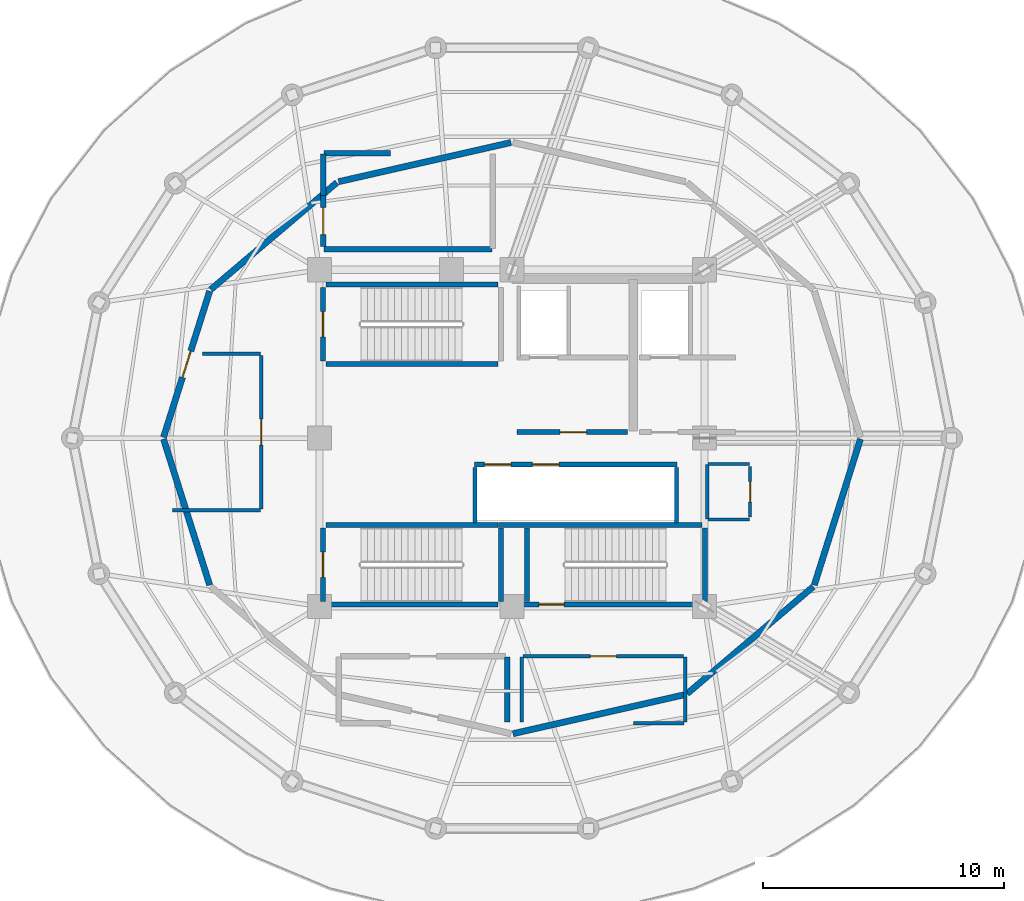
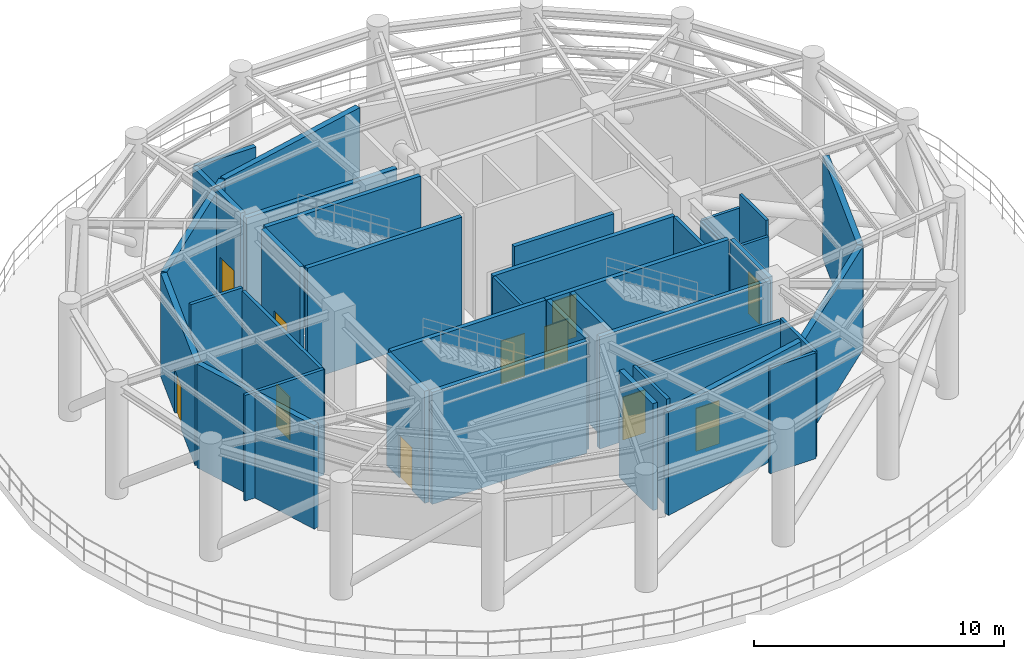
# One storey, part 4 of 8: 38 walls, 11 doors, 11 openings.
"""IFC4 building model written with IfcOpenShell, lengths in metres."""

from ifc_helpers import new_model, si_unit, direction, frame, frame_2d, origin, place, context, subcontext, project, spatial, rectangle, extrude, material, layer, layer_set, type_object, element, fill, save


model = new_model("IFC4")

# Units and contexts
model_context = context("Model", 3, precision=1e-05, world=origin(), true_north=direction((0.0, 1.0)))
body_context = subcontext(model_context, "Body", "Model", "MODEL_VIEW")
ifc_project = project(units=[si_unit("LENGTHUNIT", "METRE"), si_unit("AREAUNIT", "SQUARE_METRE"), si_unit("VOLUMEUNIT", "CUBIC_METRE"), si_unit("PLANEANGLEUNIT", "RADIAN"), si_unit("MASSUNIT", "GRAM", prefix="KILO")], contexts=[model_context])

# Site, building, storey
site_placement = place(None, origin())
site = spatial("IfcSite", under=ifc_project, at=site_placement, CompositionType="ELEMENT")
building_placement = place(site_placement, origin())
building = spatial("IfcBuilding", under=site, at=building_placement, Name="Kelanora Arch Commons", CompositionType="ELEMENT")
storey_placement = place(building_placement, frame((0.0, 0.0, 242.9599609375)))
storey = spatial("IfcBuildingStorey", under=building, at=storey_placement, Name="L62", CompositionType="ELEMENT", Elevation=242.9599609375)

# Walls
ifc_material_1 = material(Name="Autoclaved aerated concrete blockwork with fire plaster", Category="masonry")
ifc_layer_1 = layer(ifc_material_1, 0.14990234375)
ifc_layer_set_1 = layer_set([ifc_layer_1], Name="Autoclaved aerated concrete blockwork with fire plaster")
wall_type_1 = type_object("IfcWallType", Name="W-COMP-150", PredefinedType="PARTITIONING", material=ifc_layer_set_1)
for number, where, z_axis, x_axis, name in (
    (1, (72.4599609375, 54.47998046875, 0.0), (0.0, 0.0, 1.0), (0.0, 1.0, 0.0), "South Lift Bank West Wall L62"),
    (2, (80.840087890625, 54.47998046875, 0.0), (0.0, 0.0, 1.0), (0.0, 1.0, 0.0), "South Lift Bank East Wall L62"),
):
    element("IfcWall", number, at=place(storey_placement, frame(where, z_axis=z_axis, x_axis=x_axis)), inside=storey, type_object=wall_type_1, Name=name, PredefinedType="PARTITIONING", context=body_context, shape_type="SweptSolid", body=[
        extrude(rectangle(XDim=2.2900390625, YDim=0.14990234375, at=frame_2d((1.14501953125, 0.0))), origin(), (0.0, 0.0, 1.0), 5.469970703125),
    ])

# Wall, opening, door
wall_1_placement = place(storey_placement, frame((63.580078125, 55.06005859375, 0.0), z_axis=(0.0, 0.0, 1.0), x_axis=(0.0, 1.0, 0.0)))
wall_1 = element("IfcWall", 3, at=wall_1_placement, inside=storey, type_object=wall_type_1, Name="Dedicated Outdoor Air and Enthalpy Wheel Plant L62 Entry Partition", PredefinedType="PARTITIONING", context=body_context, shape_type="SweptSolid", body=[
    extrude(rectangle(XDim=6.3798828125, YDim=0.14990234375, at=frame_2d((3.18994140625, 0.0))), origin(), (0.0, 0.0, 1.0), 5.06494140625),
])
opening_1_placement = place(wall_1_placement, frame((2.64990234375, 0.0, 0.0)))
opening_1 = element("IfcOpeningElement", 4, at=opening_1_placement, cuts=wall_1, Name="Opening D-PLT1", PredefinedType="OPENING", context=body_context, shape_type="SweptSolid", body=[
    extrude(rectangle(XDim=1.080078125, YDim=2.10009765625, at=frame_2d((0.5400390625, 1.050048828125))), frame((0.0, 0.0849609375, 0.0), z_axis=(0.0, -1.0, 0.0), x_axis=(1.0, 0.0, 0.0)), (0.0, 0.0, 1.0), 0.169921875),
])
ifc_material_2 = material(Name="Galvanised steel plant and riser fire door", Category="steel")
door_type_1 = type_object("IfcDoorType", Name="D-PLT-110", OperationType="NOTDEFINED", PredefinedType="DOOR", material=ifc_material_2)
door_1_placement = place(opening_1_placement, origin())
door_1 = element("IfcDoor", 5, at=door_1_placement, inside=storey, type_object=door_type_1, Name="Dedicated Outdoor Air and Enthalpy Wheel Plant L62 Door", OperationType="SINGLE_SWING_RIGHT", OverallHeight=2.10009765625, OverallWidth=1.080078125, PredefinedType="DOOR", context=body_context, shape_type="SweptSolid", body=[
    extrude(rectangle(XDim=1.080078125, YDim=2.10009765625, at=frame_2d((0.5400390625, 1.050048828125))), frame((0.0, 0.02490234375, 0.0), z_axis=(0.0, -1.0, 0.0), x_axis=(1.0, 0.0, 0.0)), (0.0, 0.0, 1.0), 0.050048828125),
])
fill(opening_1, door_1)

wall_2_placement = place(storey_placement, frame((74.4599609375, 48.929931640625, 0.0), z_axis=(0.0, 0.0, 1.0), x_axis=(1.0, 0.0, 0.0)))
wall_2 = element("IfcWall", 6, at=wall_2_placement, inside=storey, type_object=wall_type_1, Name="Domestic Booster Pump and Electrical Switchroom L62 Entry Partition", PredefinedType="PARTITIONING", context=body_context, shape_type="SweptSolid", body=[
    extrude(rectangle(XDim=6.679931640625, YDim=0.14990234375, at=frame_2d((3.33984375, 0.0))), origin(), (0.0, 0.0, 1.0), 5.06494140625),
])
opening_2_placement = place(wall_2_placement, frame((2.800048828125, 0.0, 0.0)))
opening_2 = element("IfcOpeningElement", 7, at=opening_2_placement, cuts=wall_2, Name="Opening D-PLT1", PredefinedType="OPENING", context=body_context, shape_type="SweptSolid", body=[
    extrude(rectangle(XDim=1.080078125, YDim=2.10009765625, at=frame_2d((0.5400390625, 1.050048828125))), frame((0.0, 0.0849609375, 0.0), z_axis=(0.0, -1.0, 0.0), x_axis=(1.0, 0.0, 0.0)), (0.0, 0.0, 1.0), 0.169921875),
])
door_2_placement = place(opening_2_placement, origin())
door_2 = element("IfcDoor", 8, at=door_2_placement, inside=storey, type_object=door_type_1, Name="Domestic Booster Pump and Electrical Switchroom L62 Door", OperationType="SINGLE_SWING_LEFT", OverallHeight=2.10009765625, OverallWidth=1.080078125, PredefinedType="DOOR", context=body_context, shape_type="SweptSolid", body=[
    extrude(rectangle(XDim=1.080078125, YDim=2.10009765625, at=frame_2d((0.5400390625, 1.050048828125))), frame((0.0, 0.02490234375, 0.0), z_axis=(0.0, -1.0, 0.0), x_axis=(1.0, 0.0, 0.0)), (0.0, 0.0, 1.0), 0.050048828125),
])
fill(opening_2, door_2)

# Walls
wall_3_placement = place(storey_placement, frame((59.889892578125, 55.0, 0.0), z_axis=(0.0, 0.0, 1.0), x_axis=(1.0, 0.0, 0.0)))
element("IfcWall", 9, at=wall_3_placement, inside=storey, type_object=wall_type_1, Name="Dedicated Outdoor Air and Enthalpy Wheel Plant L62 Enclosure Partition 1", PredefinedType="PARTITIONING", context=body_context, shape_type="SweptSolid", body=[
    extrude(rectangle(XDim=3.650146484375, YDim=0.14990234375, at=frame_2d((1.8251953125, 0.0))), origin(), (0.0, 0.0, 1.0), 5.1650390625),
])
wall_4_placement = place(storey_placement, frame((63.5400390625, 61.5, 0.0), z_axis=(0.0, 0.0, 1.0), x_axis=(-1.0, 0.0, 0.0)))
element("IfcWall", 10, at=wall_4_placement, inside=storey, type_object=wall_type_1, Name="Dedicated Outdoor Air and Enthalpy Wheel Plant L62 Enclosure Partition 3", PredefinedType="PARTITIONING", context=body_context, shape_type="SweptSolid", body=[
    extrude(rectangle(XDim=2.40625, YDim=0.14990234375, at=frame_2d((1.203125, 0.0))), origin(), (0.0, 0.0, 1.0), 5.22509765625),
])
wall_5_placement = place(storey_placement, frame((79.0478515625, 46.14990234375, 0.0), z_axis=(0.0, 0.0, 1.0), x_axis=(1.0, 0.0, 0.0)))
element("IfcWall", 11, at=wall_5_placement, inside=storey, type_object=wall_type_1, Name="Domestic Booster Pump and Electrical Switchroom L62 Enclosure Partition 1", PredefinedType="PARTITIONING", context=body_context, shape_type="SweptSolid", body=[
    extrude(rectangle(XDim=2.112060546875, YDim=0.14990234375, at=frame_2d((1.05615234375, 0.0))), origin(), (0.0, 0.0, 1.0), 5.1650390625),
])
wall_6_placement = place(storey_placement, frame((81.199951171875, 46.18994140625, 0.0), z_axis=(0.0, 0.0, 1.0), x_axis=(0.0, 1.0, 0.0)))
element("IfcWall", 12, at=wall_6_placement, inside=storey, type_object=wall_type_1, Name="Domestic Booster Pump and Electrical Switchroom L62 Enclosure Partition 2", PredefinedType="PARTITIONING", context=body_context, shape_type="SweptSolid", body=[
    extrude(rectangle(XDim=2.699951171875, YDim=0.14990234375, at=frame_2d((1.35009765625, 0.0))), origin(), (0.0, 0.0, 1.0), 5.1650390625),
])
wall_7_placement = place(storey_placement, frame((74.39990234375, 48.889892578125, 0.0), z_axis=(0.0, 0.0, 1.0), x_axis=(0.0, -1.0, 0.0)))
element("IfcWall", 13, at=wall_7_placement, inside=storey, type_object=wall_type_1, Name="Domestic Booster Pump and Electrical Switchroom L62 Enclosure Partition 4", PredefinedType="PARTITIONING", context=body_context, shape_type="SweptSolid", body=[
    extrude(rectangle(XDim=2.699951171875, YDim=0.14990234375, at=frame_2d((1.35009765625, 0.0))), origin(), (0.0, 0.0, 1.0), 5.22509765625),
])
ifc_material_3 = material(Name="Precast concrete C40/50 with terracotta rainscreen", Category="masonry")
ifc_layer_2 = layer(ifc_material_3, 0.260009765625)
ifc_layer_set_2 = layer_set([ifc_layer_2], Name="Precast concrete C40/50 with terracotta rainscreen")
wall_type_2 = type_object("IfcWallType", Name="W-EXT-TC", PredefinedType="SOLIDWALL", material=ifc_layer_set_2)
wall_8_placement = place(storey_placement, frame((73.9609375, 70.291015625, 0.0), z_axis=(0.0, 0.0, 1.0), x_axis=(-0.975128290494, -0.221641189938, 0.0)))
element("IfcWall", 14, at=wall_8_placement, inside=storey, type_object=wall_type_2, Name="Wind-Floor Plant/Refuge Enclosure Wall L62-04", PredefinedType="SOLIDWALL", context=body_context, shape_type="SweptSolid", body=[
    extrude(rectangle(XDim=7.354736328125, YDim=0.260009765625, at=frame_2d((3.67724609375, 0.0))), origin(), (0.0, 0.0, 1.0), 5.06005859375),
])
wall_9_placement = place(storey_placement, frame((66.719482421875, 68.626220703125, 0.0), z_axis=(0.0, 0.0, 1.0), x_axis=(-0.762580748943, -0.646893037018, 0.0)))
element("IfcWall", 15, at=wall_9_placement, inside=storey, type_object=wall_type_2, Name="Wind-Floor Plant/Refuge Enclosure Wall L62-05", PredefinedType="SOLIDWALL", context=body_context, shape_type="SweptSolid", body=[
    extrude(rectangle(XDim=6.879638671875, YDim=0.260009765625, at=frame_2d((3.43994140625, 0.0))), origin(), (0.0, 0.0, 1.0), 5.06005859375),
])

# Wall, opening, door
wall_10_placement = place(storey_placement, frame((61.4306640625, 64.11181640625, 0.0), z_axis=(0.0, 0.0, 1.0), x_axis=(-0.301228589113, -0.95355195826, 0.0)))
wall_10 = element("IfcWall", 16, at=wall_10_placement, inside=storey, type_object=wall_type_2, Name="Wind-Floor Plant/Refuge Enclosure Wall L62-06", PredefinedType="SOLIDWALL", context=body_context, shape_type="SweptSolid", body=[
    extrude(rectangle(XDim=6.36962890625, YDim=0.260009765625, at=frame_2d((3.184814453125, 0.0))), origin(), (0.0, 0.0, 1.0), 5.06005859375),
])
opening_3_placement = place(wall_10_placement, frame((2.610107421875, 0.0, 0.0)))
opening_3 = element("IfcOpeningElement", 17, at=opening_3_placement, cuts=wall_10, Name="Opening DT-01", PredefinedType="OPENING", context=body_context, shape_type="SweptSolid", body=[
    extrude(rectangle(XDim=1.14990234375, YDim=2.14990234375, at=frame_2d((0.574951171875, 1.074951171875))), frame((0.0, 0.14013671875, 0.0), z_axis=(0.0, -1.0, 0.0), x_axis=(1.0, 0.0, 0.0)), (0.0, 0.0, 1.0), 0.280029296875),
])
ifc_material_4 = material(Name="Weather-sealed aluminium terrace door", Category="aluminium")
door_type_2 = type_object("IfcDoorType", Name="D-TERR-12", OperationType="NOTDEFINED", PredefinedType="DOOR", material=ifc_material_4)
door_3_placement = place(opening_3_placement, frame((1.14990234375, 0.0, 0.0), z_axis=(0.0, 0.0, 1.0), x_axis=(-1.0, 0.0, 0.0)))
door_3 = element("IfcDoor", 18, at=door_3_placement, inside=storey, type_object=door_type_2, Name="Wind-Floor Deck Maintenance Door L62-05", OperationType="SINGLE_SWING_LEFT", OverallHeight=2.14990234375, OverallWidth=1.14990234375, PredefinedType="DOOR", context=body_context, shape_type="SweptSolid", body=[
    extrude(rectangle(XDim=1.14990234375, YDim=2.14990234375, at=frame_2d((0.574951171875, 1.074951171875))), frame((0.0, 0.02490234375, 0.0), z_axis=(0.0, -1.0, 0.0), x_axis=(1.0, 0.0, 0.0)), (0.0, 0.0, 1.0), 0.050048828125),
])
fill(opening_3, door_3)

# Walls
wall_11_placement = place(storey_placement, frame((59.511962890625, 57.9619140625, 0.0), z_axis=(0.0, 0.0, 1.0), x_axis=(0.301228589113, -0.95355195826, 0.0)))
element("IfcWall", 19, at=wall_11_placement, inside=storey, type_object=wall_type_2, Name="Wind-Floor Plant/Refuge Enclosure Wall L62-07", PredefinedType="SOLIDWALL", context=body_context, shape_type="SweptSolid", body=[
    extrude(rectangle(XDim=6.36962890625, YDim=0.260009765625, at=frame_2d((3.184814453125, 0.0))), origin(), (0.0, 0.0, 1.0), 5.06005859375),
])
wall_12_placement = place(storey_placement, frame((74.0390625, 45.708984375, 0.0), z_axis=(0.0, 0.0, 1.0), x_axis=(0.975128290494, 0.221641189938, 0.0)))
element("IfcWall", 20, at=wall_12_placement, inside=storey, type_object=wall_type_2, Name="Wind-Floor Plant/Refuge Enclosure Wall L62-10", PredefinedType="SOLIDWALL", context=body_context, shape_type="SweptSolid", body=[
    extrude(rectangle(XDim=7.354736328125, YDim=0.260009765625, at=frame_2d((3.67724609375, 0.0))), origin(), (0.0, 0.0, 1.0), 5.06005859375),
])
wall_13_placement = place(storey_placement, frame((81.280517578125, 47.373779296875, 0.0), z_axis=(0.0, 0.0, 1.0), x_axis=(0.762580748943, 0.646893037018, 0.0)))
element("IfcWall", 21, at=wall_13_placement, inside=storey, type_object=wall_type_2, Name="Wind-Floor Plant/Refuge Enclosure Wall L62-11", PredefinedType="SOLIDWALL", context=body_context, shape_type="SweptSolid", body=[
    extrude(rectangle(XDim=6.879638671875, YDim=0.260009765625, at=frame_2d((3.43994140625, 0.0))), origin(), (0.0, 0.0, 1.0), 5.06005859375),
])
wall_14_placement = place(storey_placement, frame((86.5693359375, 51.88818359375, 0.0), z_axis=(0.0, 0.0, 1.0), x_axis=(0.301228589113, 0.95355195826, 0.0)))
element("IfcWall", 22, at=wall_14_placement, inside=storey, type_object=wall_type_2, Name="Wind-Floor Plant/Refuge Enclosure Wall L62-12", PredefinedType="SOLIDWALL", context=body_context, shape_type="SweptSolid", body=[
    extrude(rectangle(XDim=6.36962890625, YDim=0.260009765625, at=frame_2d((3.184814453125, 0.0))), origin(), (0.0, 0.0, 1.0), 5.06005859375),
])

# Wall, opening, door
ifc_material_5 = material(Name="Concrete C40/50", Category="concrete")
ifc_layer_3 = layer(ifc_material_5, 0.199951171875)
ifc_layer_set_3 = layer_set([ifc_layer_3], Name="Concrete C40/50")
wall_type_3 = type_object("IfcWallType", Name="W-FFL-200", PredefinedType="SOLIDWALL", material=ifc_layer_set_3)
wall_15_placement = place(storey_placement, frame((74.199951171875, 58.25, 0.0), z_axis=(0.0, 0.0, 1.0), x_axis=(1.0, 0.0, 0.0)))
wall_15 = element("IfcWall", 23, at=wall_15_placement, inside=storey, type_object=wall_type_3, Name="Firefighting Lobby 1 Enclosure Wall L62", PredefinedType="SOLIDWALL", context=body_context, shape_type="SweptSolid", body=[
    extrude(rectangle(XDim=4.60009765625, YDim=0.199951171875, at=frame_2d((2.300048828125, 0.0))), origin(), (0.0, 0.0, 1.0), 5.469970703125),
])
opening_4_placement = place(wall_15_placement, frame((1.800048828125, 0.0, 0.0)))
opening_4 = element("IfcOpeningElement", 24, at=opening_4_placement, cuts=wall_15, Name="Opening D-FFL1", PredefinedType="OPENING", context=body_context, shape_type="SweptSolid", body=[
    extrude(rectangle(XDim=1.10009765625, YDim=2.10009765625, at=frame_2d((0.550048828125, 1.050048828125))), frame((0.0, 0.10986328125, 0.0), z_axis=(0.0, -1.0, 0.0), x_axis=(1.0, 0.0, 0.0)), (0.0, 0.0, 1.0), 0.219970703125),
])
ifc_material_6 = material(Name="Smoke-sealed firefighting lobby fire door")
door_type_3 = type_object("IfcDoorType", Name="D-FFL-110", OperationType="NOTDEFINED", PredefinedType="DOOR", material=ifc_material_6)
door_4_placement = place(opening_4_placement, frame((1.10009765625, 0.0, 0.0), z_axis=(0.0, 0.0, 1.0), x_axis=(-1.0, 0.0, 0.0)))
door_4 = element("IfcDoor", 25, at=door_4_placement, inside=storey, type_object=door_type_3, Name="Firefighting Lobby 1 Door L62", OperationType="SINGLE_SWING_LEFT", OverallHeight=2.10009765625, OverallWidth=1.10009765625, PredefinedType="DOOR", context=body_context, shape_type="SweptSolid", body=[
    extrude(rectangle(XDim=1.10009765625, YDim=2.10009765625, at=frame_2d((0.550048828125, 1.050048828125))), frame((0.0, 0.02490234375, 0.0), z_axis=(0.0, -1.0, 0.0), x_axis=(1.0, 0.0, 0.0)), (0.0, 0.0, 1.0), 0.050048828125),
])
fill(opening_4, door_4)

# Wall, openings, doors
wall_16_placement = place(storey_placement, frame((72.449951171875, 56.89990234375, 0.0), z_axis=(0.0, 0.0, 1.0), x_axis=(1.0, 0.0, 0.0)))
wall_16 = element("IfcWall", 26, at=wall_16_placement, inside=storey, type_object=wall_type_3, Name="Mid/High/Express Lift Shaft Front L62", PredefinedType="SOLIDWALL", context=body_context, shape_type="SweptSolid", body=[
    extrude(rectangle(XDim=8.400146484375, YDim=0.199951171875, at=frame_2d((4.2001953125, 0.0))), origin(), (0.0, 0.0, 1.0), 5.469970703125),
])
opening_5_placement = place(wall_16_placement, frame((0.39990234375, 0.0, 0.0)))
opening_5 = element("IfcOpeningElement", 27, at=opening_5_placement, cuts=wall_16, Name="Opening LD-01", PredefinedType="OPENING", context=body_context, shape_type="SweptSolid", body=[
    extrude(rectangle(XDim=1.10009765625, YDim=2.10009765625, at=frame_2d((0.550048828125, 1.050048828125))), frame((0.0, 0.10986328125, 0.0), z_axis=(0.0, -1.0, 0.0), x_axis=(1.0, 0.0, 0.0)), (0.0, 0.0, 1.0), 0.219970703125),
])
opening_6_placement = place(wall_16_placement, frame((2.39990234375, 0.0, 0.0)))
opening_6 = element("IfcOpeningElement", 28, at=opening_6_placement, cuts=wall_16, Name="Opening LD-01", PredefinedType="OPENING", context=body_context, shape_type="SweptSolid", body=[
    extrude(rectangle(XDim=1.10009765625, YDim=2.10009765625, at=frame_2d((0.550048828125, 1.050048828125))), frame((0.0, 0.10986328125, 0.0), z_axis=(0.0, -1.0, 0.0), x_axis=(1.0, 0.0, 0.0)), (0.0, 0.0, 1.0), 0.219970703125),
])
ifc_material_7 = material(Name="Stainless steel passenger lift sliding landing door", Category="steel")
door_type_4 = type_object("IfcDoorType", Name="D-LIFT-110", OperationType="NOTDEFINED", PredefinedType="DOOR", material=ifc_material_7)
door_5_placement = place(opening_5_placement, origin())
door_5 = element("IfcDoor", 29, at=door_5_placement, inside=storey, type_object=door_type_4, Name="Passenger Lift LF-P7 Landing Door L62", OperationType="DOUBLE_DOOR_SLIDING", OverallHeight=2.10009765625, OverallWidth=1.10009765625, PredefinedType="DOOR", context=body_context, shape_type="SweptSolid", body=[
    extrude(rectangle(XDim=1.10009765625, YDim=2.10009765625, at=frame_2d((0.550048828125, 1.050048828125))), frame((0.0, 0.02490234375, 0.0), z_axis=(0.0, -1.0, 0.0), x_axis=(1.0, 0.0, 0.0)), (0.0, 0.0, 1.0), 0.050048828125),
])
fill(opening_5, door_5)
door_6_placement = place(opening_6_placement, origin())
door_6 = element("IfcDoor", 30, at=door_6_placement, inside=storey, type_object=door_type_4, Name="Passenger Lift LF-P8 Landing Door L62", OperationType="DOUBLE_DOOR_SLIDING", OverallHeight=2.10009765625, OverallWidth=1.10009765625, PredefinedType="DOOR", context=body_context, shape_type="SweptSolid", body=[
    extrude(rectangle(XDim=1.10009765625, YDim=2.10009765625, at=frame_2d((0.550048828125, 1.050048828125))), frame((0.0, 0.02490234375, 0.0), z_axis=(0.0, -1.0, 0.0), x_axis=(1.0, 0.0, 0.0)), (0.0, 0.0, 1.0), 0.050048828125),
])
fill(opening_6, door_6)

# Wall, opening, door
ifc_layer_4 = layer(ifc_material_5, 0.219970703125)
ifc_layer_set_4 = layer_set([ifc_layer_4], Name="Concrete C40/50")
wall_type_4 = type_object("IfcWallType", Name="W-REF-200", PredefinedType="SOLIDWALL", material=ifc_layer_set_4)
wall_17_placement = place(storey_placement, frame((66.14990234375, 65.9599609375, 0.0), z_axis=(0.0, 0.0, 1.0), x_axis=(0.0, 1.0, 0.0)))
wall_17 = element("IfcWall", 31, at=wall_17_placement, inside=storey, type_object=wall_type_4, Name="Protected Fire Refuge Holding Area L62-North Entry Partition", PredefinedType="SOLIDWALL", context=body_context, shape_type="SweptSolid", body=[
    extrude(rectangle(XDim=2.130126953125, YDim=0.219970703125, at=frame_2d((1.06494140625, 0.0))), origin(), (0.0, 0.0, 1.0), 5.22509765625),
])
opening_7_placement = place(wall_17_placement, frame((0.5048828125, 0.0, 0.0)))
opening_7 = element("IfcOpeningElement", 32, at=opening_7_placement, cuts=wall_17, Name="Opening D-REF1", PredefinedType="OPENING", context=body_context, shape_type="SweptSolid", body=[
    extrude(rectangle(XDim=1.1201171875, YDim=2.10009765625, at=frame_2d((0.56005859375, 1.050048828125))), frame((0.0, 0.1201171875, 0.0), z_axis=(0.0, -1.0, 0.0), x_axis=(1.0, 0.0, 0.0)), (0.0, 0.0, 1.0), 0.239990234375),
])
ifc_material_8 = material(Name="Two-hour fire refuge holding room door")
door_type_5 = type_object("IfcDoorType", Name="D-REF-110", OperationType="NOTDEFINED", PredefinedType="DOOR", material=ifc_material_8)
door_7_placement = place(opening_7_placement, origin())
door_7 = element("IfcDoor", 33, at=door_7_placement, inside=storey, type_object=door_type_5, Name="Protected Fire Refuge Holding Area L62-North Door", OperationType="SINGLE_SWING_RIGHT", OverallHeight=2.10009765625, OverallWidth=1.1201171875, PredefinedType="DOOR", context=body_context, shape_type="SweptSolid", body=[
    extrude(rectangle(XDim=1.1201171875, YDim=2.10009765625, at=frame_2d((0.56005859375, 1.050048828125))), frame((0.0, 0.02490234375, 0.0), z_axis=(0.0, -1.0, 0.0), x_axis=(1.0, 0.0, 0.0)), (0.0, 0.0, 1.0), 0.050048828125),
])
fill(opening_7, door_7)

# Walls
wall_18_placement = place(storey_placement, frame((66.18994140625, 65.85009765625, 0.0), z_axis=(0.0, 0.0, 1.0), x_axis=(1.0, 0.0, 0.0)))
element("IfcWall", 34, at=wall_18_placement, inside=storey, type_object=wall_type_4, Name="Protected Fire Refuge Holding Area L62-North Enclosure Partition 1", PredefinedType="SOLIDWALL", context=body_context, shape_type="SweptSolid", body=[
    extrude(rectangle(XDim=6.969970703125, YDim=0.219970703125, at=frame_2d((3.48486328125, 0.0))), origin(), (0.0, 0.0, 1.0), 5.06494140625),
])
wall_19_placement = place(storey_placement, frame((68.9521484375, 69.85009765625, 0.0), z_axis=(0.0, 0.0, 1.0), x_axis=(-1.0, 0.0, 0.0)))
element("IfcWall", 35, at=wall_19_placement, inside=storey, type_object=wall_type_4, Name="Protected Fire Refuge Holding Area L62-North Enclosure Partition 3", PredefinedType="SOLIDWALL", context=body_context, shape_type="SweptSolid", body=[
    extrude(rectangle(XDim=2.76220703125, YDim=0.219970703125, at=frame_2d((1.381103515625, 0.0))), origin(), (0.0, 0.0, 1.0), 5.1650390625),
])
wall_20_placement = place(storey_placement, frame((66.14990234375, 69.81005859375, 0.0), z_axis=(0.0, 0.0, 1.0), x_axis=(0.0, -1.0, 0.0)))
element("IfcWall", 36, at=wall_20_placement, inside=storey, type_object=wall_type_4, Name="Protected Fire Refuge Holding Area L62-North Enclosure Partition 4", PredefinedType="SOLIDWALL", context=body_context, shape_type="SweptSolid", body=[
    extrude(rectangle(XDim=1.719970703125, YDim=0.219970703125, at=frame_2d((0.85986328125, 0.0))), origin(), (0.0, 0.0, 1.0), 5.1650390625),
])
wall_21_placement = place(storey_placement, frame((73.800048828125, 46.18994140625, 0.0), z_axis=(0.0, 0.0, 1.0), x_axis=(0.0, 1.0, 0.0)))
element("IfcWall", 37, at=wall_21_placement, inside=storey, type_object=wall_type_4, Name="Protected Fire Refuge Holding Area L62-South Enclosure Partition 2", PredefinedType="SOLIDWALL", context=body_context, shape_type="SweptSolid", body=[
    extrude(rectangle(XDim=2.699951171875, YDim=0.219970703125, at=frame_2d((1.35009765625, 0.0))), origin(), (0.0, 0.0, 1.0), 5.22509765625),
])
ifc_layer_5 = layer(ifc_material_5, 0.199951171875)
ifc_layer_set_5 = layer_set([ifc_layer_5], Name="Concrete C40/50")
wall_type_5 = type_object("IfcWallType", Name="W-STAIR-200", PredefinedType="SHEAR", material=ifc_layer_set_5)
for number, where, z_axis, x_axis, name in (
    (38, (66.260009765625, 61.080078125, 0.0), (0.0, 0.0, 1.0), (1.0, 0.0, 0.0), "Stair ST-T1 Shaft Wall S L62"),
    (39, (73.419921875, 64.389892578125, 0.0), (0.0, 0.0, 1.0), (-1.0, 0.0, 0.0), "Stair ST-T1 Shaft Wall N L62"),
):
    element("IfcWall", number, at=place(storey_placement, frame(where, z_axis=z_axis, x_axis=x_axis)), inside=storey, type_object=wall_type_5, Name=name, PredefinedType="SHEAR", context=body_context, shape_type="SweptSolid", body=[
        extrude(rectangle(XDim=7.159912109375, YDim=0.199951171875, at=frame_2d((3.580078125, 0.0))), origin(), (0.0, 0.0, 1.0), 5.47998046875),
    ])

# Wall, opening, door
wall_22_placement = place(storey_placement, frame((66.139892578125, 64.27001953125, 0.0), z_axis=(0.0, 0.0, 1.0), x_axis=(0.0, -1.0, 0.0)))
wall_22 = element("IfcWall", 40, at=wall_22_placement, inside=storey, type_object=wall_type_5, Name="Stair ST-T1 Shaft Wall W L62", PredefinedType="SHEAR", context=body_context, shape_type="SweptSolid", body=[
    extrude(rectangle(XDim=3.070068359375, YDim=0.199951171875, at=frame_2d((1.53515625, 0.0))), origin(), (0.0, 0.0, 1.0), 5.47998046875),
])
opening_8_placement = place(wall_22_placement, frame((1.010009765625, 0.0, 0.0)))
opening_8 = element("IfcOpeningElement", 41, at=opening_8_placement, cuts=wall_22, Name="Opening D-ST1", PredefinedType="OPENING", context=body_context, shape_type="SweptSolid", body=[
    extrude(rectangle(XDim=1.050048828125, YDim=2.10009765625, at=frame_2d((0.52490234375, 1.050048828125))), frame((0.0, 0.10986328125, 0.0), z_axis=(0.0, -1.0, 0.0), x_axis=(1.0, 0.0, 0.0)), (0.0, 0.0, 1.0), 0.219970703125),
])
ifc_material_9 = material(Name="Steel fire-rated stairwell escape door", Category="steel")
door_type_6 = type_object("IfcDoorType", Name="D-STAIR-110", OperationType="NOTDEFINED", PredefinedType="DOOR", material=ifc_material_9)
door_8_placement = place(opening_8_placement, origin())
door_8 = element("IfcDoor", 42, at=door_8_placement, inside=storey, type_object=door_type_6, Name="Stair ST-T1 Escape Door L62", OperationType="SINGLE_SWING_LEFT", OverallHeight=2.10009765625, OverallWidth=1.050048828125, PredefinedType="DOOR", context=body_context, shape_type="SweptSolid", body=[
    extrude(rectangle(XDim=1.050048828125, YDim=2.10009765625, at=frame_2d((0.52490234375, 1.050048828125))), frame((0.0, 0.02490234375, 0.0), z_axis=(0.0, -1.0, 0.0), x_axis=(1.0, 0.0, 0.0)), (0.0, 0.0, 1.0), 0.050048828125),
])
fill(opening_8, door_8)

wall_23_placement = place(storey_placement, frame((74.0, 51.080078125, 0.0), z_axis=(0.0, 0.0, 1.0), x_axis=(1.0, 0.0, 0.0)))
wall_23 = element("IfcWall", 43, at=wall_23_placement, inside=storey, type_object=wall_type_5, Name="Stair ST-T2 Shaft Wall S L62", PredefinedType="SHEAR", context=body_context, shape_type="SweptSolid", body=[
    extrude(rectangle(XDim=7.89990234375, YDim=0.199951171875, at=frame_2d((3.949951171875, 0.0))), origin(), (0.0, 0.0, 1.0), 5.47998046875),
])
opening_9_placement = place(wall_23_placement, frame((1.1201171875, 0.0, 0.0)))
opening_9 = element("IfcOpeningElement", 44, at=opening_9_placement, cuts=wall_23, Name="Opening D-ST1", PredefinedType="OPENING", context=body_context, shape_type="SweptSolid", body=[
    extrude(rectangle(XDim=1.050048828125, YDim=2.10009765625, at=frame_2d((0.52490234375, 1.050048828125))), frame((0.0, 0.10986328125, 0.0), z_axis=(0.0, -1.0, 0.0), x_axis=(1.0, 0.0, 0.0)), (0.0, 0.0, 1.0), 0.219970703125),
])
door_9_placement = place(opening_9_placement, origin())
door_9 = element("IfcDoor", 45, at=door_9_placement, inside=storey, type_object=door_type_6, Name="Stair ST-T2 Escape Door L62", OperationType="SINGLE_SWING_LEFT", OverallHeight=2.10009765625, OverallWidth=1.050048828125, PredefinedType="DOOR", context=body_context, shape_type="SweptSolid", body=[
    extrude(rectangle(XDim=1.050048828125, YDim=2.10009765625, at=frame_2d((0.52490234375, 1.050048828125))), frame((0.0, 0.02490234375, 0.0), z_axis=(0.0, -1.0, 0.0), x_axis=(1.0, 0.0, 0.0)), (0.0, 0.0, 1.0), 0.050048828125),
])
fill(opening_9, door_9)

# Walls
wall_24_placement = place(storey_placement, frame((82.02001953125, 51.199951171875, 0.0), z_axis=(0.0, 0.0, 1.0), x_axis=(0.0, 1.0, 0.0)))
element("IfcWall", 46, at=wall_24_placement, inside=storey, type_object=wall_type_5, Name="Stair ST-T2 Shaft Wall E L62", PredefinedType="SHEAR", context=body_context, shape_type="SweptSolid", body=[
    extrude(rectangle(XDim=3.070068359375, YDim=0.199951171875, at=frame_2d((1.53515625, 0.0))), origin(), (0.0, 0.0, 1.0), 5.47998046875),
])
wall_25_placement = place(storey_placement, frame((81.89990234375, 54.389892578125, 0.0), z_axis=(0.0, 0.0, 1.0), x_axis=(-1.0, 0.0, 0.0)))
element("IfcWall", 47, at=wall_25_placement, inside=storey, type_object=wall_type_5, Name="Stair ST-T2 Shaft Wall N L62", PredefinedType="SHEAR", context=body_context, shape_type="SweptSolid", body=[
    extrude(rectangle(XDim=8.4599609375, YDim=0.199951171875, at=frame_2d((4.22998046875, 0.0))), origin(), (0.0, 0.0, 1.0), 5.47998046875),
])
wall_26_placement = place(storey_placement, frame((74.6201171875, 54.27001953125, 0.0), z_axis=(0.0, 0.0, 1.0), x_axis=(0.0, -1.0, 0.0)))
element("IfcWall", 48, at=wall_26_placement, inside=storey, type_object=wall_type_5, Name="Stair ST-T2 Shaft Wall W L62", PredefinedType="SHEAR", context=body_context, shape_type="SweptSolid", body=[
    extrude(rectangle(XDim=3.070068359375, YDim=0.199951171875, at=frame_2d((1.53515625, 0.0))), origin(), (0.0, 0.0, 1.0), 5.47998046875),
])
wall_27_placement = place(storey_placement, frame((66.260009765625, 51.080078125, 0.0), z_axis=(0.0, 0.0, 1.0), x_axis=(1.0, 0.0, 0.0)))
element("IfcWall", 49, at=wall_27_placement, inside=storey, type_object=wall_type_5, Name="Stair ST-T3 Shaft Wall S L62", PredefinedType="SHEAR", context=body_context, shape_type="SweptSolid", body=[
    extrude(rectangle(XDim=7.159912109375, YDim=0.199951171875, at=frame_2d((3.580078125, 0.0))), origin(), (0.0, 0.0, 1.0), 5.47998046875),
])
wall_28_placement = place(storey_placement, frame((73.5400390625, 51.199951171875, 0.0), z_axis=(0.0, 0.0, 1.0), x_axis=(0.0, 1.0, 0.0)))
element("IfcWall", 50, at=wall_28_placement, inside=storey, type_object=wall_type_5, Name="Stair ST-T3 Shaft Wall E L62", PredefinedType="SHEAR", context=body_context, shape_type="SweptSolid", body=[
    extrude(rectangle(XDim=3.070068359375, YDim=0.199951171875, at=frame_2d((1.53515625, 0.0))), origin(), (0.0, 0.0, 1.0), 5.47998046875),
])
wall_29_placement = place(storey_placement, frame((73.419921875, 54.389892578125, 0.0), z_axis=(0.0, 0.0, 1.0), x_axis=(-1.0, 0.0, 0.0)))
element("IfcWall", 51, at=wall_29_placement, inside=storey, type_object=wall_type_5, Name="Stair ST-T3 Shaft Wall N L62", PredefinedType="SHEAR", context=body_context, shape_type="SweptSolid", body=[
    extrude(rectangle(XDim=7.159912109375, YDim=0.199951171875, at=frame_2d((3.580078125, 0.0))), origin(), (0.0, 0.0, 1.0), 5.47998046875),
])

# Wall, opening, door
wall_30_placement = place(storey_placement, frame((66.139892578125, 54.27001953125, 0.0), z_axis=(0.0, 0.0, 1.0), x_axis=(0.0, -1.0, 0.0)))
wall_30 = element("IfcWall", 52, at=wall_30_placement, inside=storey, type_object=wall_type_5, Name="Stair ST-T3 Shaft Wall W L62", PredefinedType="SHEAR", context=body_context, shape_type="SweptSolid", body=[
    extrude(rectangle(XDim=3.070068359375, YDim=0.199951171875, at=frame_2d((1.53515625, 0.0))), origin(), (0.0, 0.0, 1.0), 5.47998046875),
])
opening_10_placement = place(wall_30_placement, frame((1.010009765625, 0.0, 0.0)))
opening_10 = element("IfcOpeningElement", 53, at=opening_10_placement, cuts=wall_30, Name="Opening D-ST1", PredefinedType="OPENING", context=body_context, shape_type="SweptSolid", body=[
    extrude(rectangle(XDim=1.050048828125, YDim=2.10009765625, at=frame_2d((0.52490234375, 1.050048828125))), frame((0.0, 0.10986328125, 0.0), z_axis=(0.0, -1.0, 0.0), x_axis=(1.0, 0.0, 0.0)), (0.0, 0.0, 1.0), 0.219970703125),
])
door_10_placement = place(opening_10_placement, origin())
door_10 = element("IfcDoor", 54, at=door_10_placement, inside=storey, type_object=door_type_6, Name="Stair ST-T3 Escape Door L62", OperationType="SINGLE_SWING_LEFT", OverallHeight=2.10009765625, OverallWidth=1.050048828125, PredefinedType="DOOR", context=body_context, shape_type="SweptSolid", body=[
    extrude(rectangle(XDim=1.050048828125, YDim=2.10009765625, at=frame_2d((0.52490234375, 1.050048828125))), frame((0.0, 0.02490234375, 0.0), z_axis=(0.0, -1.0, 0.0), x_axis=(1.0, 0.0, 0.0)), (0.0, 0.0, 1.0), 0.050048828125),
])
fill(opening_10, door_10)

ifc_material_10 = material(Name="Moisture-resistant fire-rated cement-board plumbing wall")
ifc_layer_6 = layer(ifc_material_10, 0.1298828125)
ifc_layer_set_6 = layer_set([ifc_layer_6], Name="Moisture-resistant fire-rated cement-board plumbing wall")
wall_type_6 = type_object("IfcWallType", Name="W-WET-120", PredefinedType="PLUMBINGWALL", material=ifc_layer_set_6)
wall_31_placement = place(storey_placement, frame((83.89990234375, 54.7099609375, 0.0), z_axis=(0.0, 0.0, 1.0), x_axis=(0.0, 1.0, 0.0)))
wall_31 = element("IfcWall", 55, at=wall_31_placement, inside=storey, type_object=wall_type_6, Name="Refuge Accessible First-Aid WC L62 Entry Partition", PredefinedType="PLUMBINGWALL", context=body_context, shape_type="SweptSolid", body=[
    extrude(rectangle(XDim=2.110107421875, YDim=0.1298828125, at=frame_2d((1.05517578125, 0.0))), origin(), (0.0, 0.0, 1.0), 5.469970703125),
])
opening_11_placement = place(wall_31_placement, frame((0.625, 0.0, 0.0)))
opening_11 = element("IfcOpeningElement", 56, at=opening_11_placement, cuts=wall_31, Name="Opening D-BT1", PredefinedType="OPENING", context=body_context, shape_type="SweptSolid", body=[
    extrude(rectangle(XDim=0.860107421875, YDim=2.050048828125, at=frame_2d((0.43017578125, 1.02490234375))), frame((0.0, 0.074951171875, 0.0), z_axis=(0.0, -1.0, 0.0), x_axis=(1.0, 0.0, 0.0)), (0.0, 0.0, 1.0), 0.14990234375),
])
ifc_material_11 = material(Name="Moisture-sealed fire-rated accessible bathroom door")
door_type_7 = type_object("IfcDoorType", Name="D-BATH-85", OperationType="NOTDEFINED", PredefinedType="DOOR", material=ifc_material_11)
door_11_placement = place(opening_11_placement, origin())
door_11 = element("IfcDoor", 57, at=door_11_placement, inside=storey, type_object=door_type_7, Name="Refuge Accessible First-Aid WC L62 Door", OperationType="SINGLE_SWING_RIGHT", OverallHeight=2.050048828125, OverallWidth=0.860107421875, PredefinedType="DOOR", context=body_context, shape_type="SweptSolid", body=[
    extrude(rectangle(XDim=0.860107421875, YDim=2.050048828125, at=frame_2d((0.43017578125, 1.02490234375))), frame((0.0, 0.02490234375, 0.0), z_axis=(0.0, -1.0, 0.0), x_axis=(1.0, 0.0, 0.0)), (0.0, 0.0, 1.0), 0.050048828125),
])
fill(opening_11, door_11)

# Walls
for number, where, z_axis, x_axis, name in (
    (58, (82.139892578125, 54.6201171875, 0.0), (0.0, 0.0, 1.0), (1.0, 0.0, 0.0), "Refuge Accessible First-Aid WC L62 Enclosure Partition 1"),
    (59, (83.8798828125, 56.919921875, 0.0), (0.0, 0.0, 1.0), (-1.0, 0.0, 0.0), "Refuge Accessible First-Aid WC L62 Enclosure Partition 3"),
):
    element("IfcWall", number, at=place(storey_placement, frame(where, z_axis=z_axis, x_axis=x_axis)), inside=storey, type_object=wall_type_6, Name=name, PredefinedType="PLUMBINGWALL", context=body_context, shape_type="SweptSolid", body=[
        extrude(rectangle(XDim=1.739990234375, YDim=0.1298828125, at=frame_2d((0.8701171875, 0.0))), origin(), (0.0, 0.0, 1.0), 4.76513671875),
    ])
wall_32_placement = place(storey_placement, frame((82.1201171875, 56.89990234375, 0.0), z_axis=(0.0, 0.0, 1.0), x_axis=(0.0, -1.0, 0.0)))
element("IfcWall", 60, at=wall_32_placement, inside=storey, type_object=wall_type_6, Name="Refuge Accessible First-Aid WC L62 Enclosure Partition 4", PredefinedType="PLUMBINGWALL", context=body_context, shape_type="SweptSolid", body=[
    extrude(rectangle(XDim=2.260009765625, YDim=0.1298828125, at=frame_2d((1.1298828125, 0.0))), origin(), (0.0, 0.0, 1.0), 4.76513671875),
])

save(model, "model.ifc")
